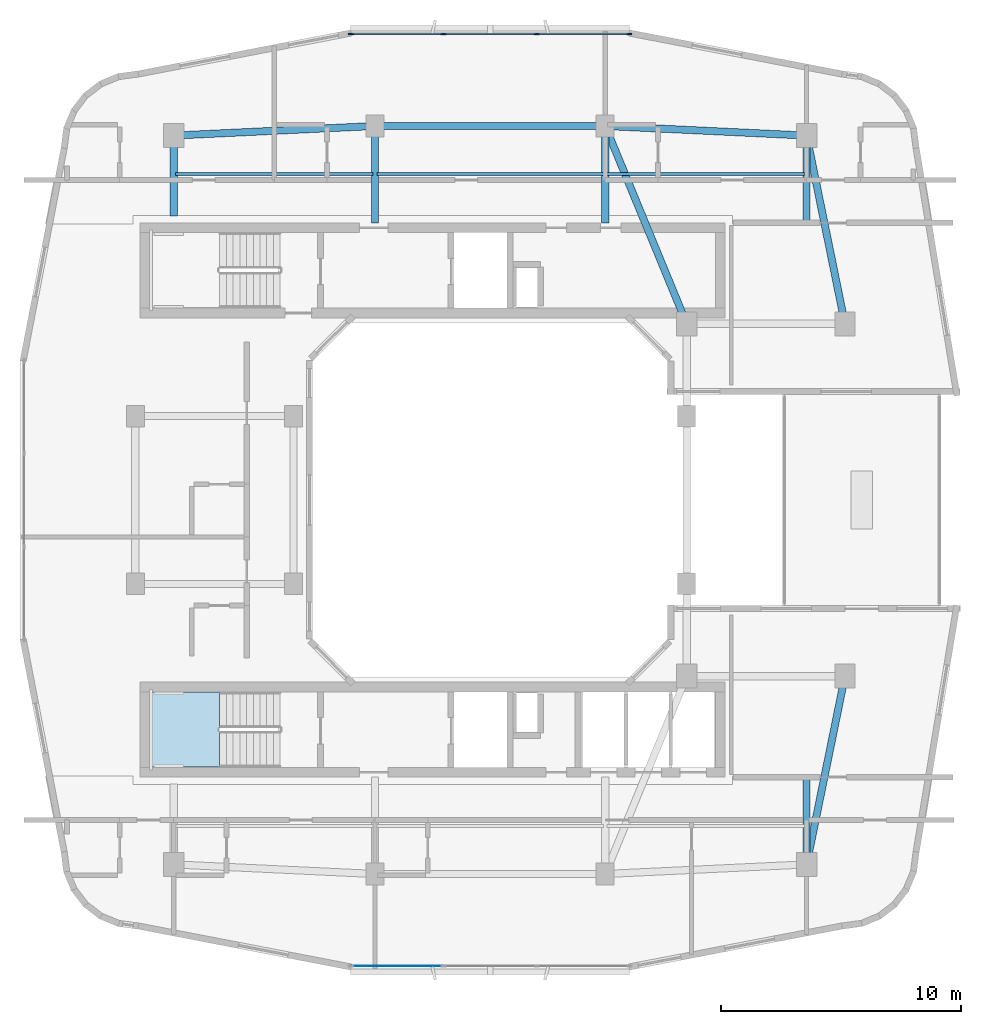
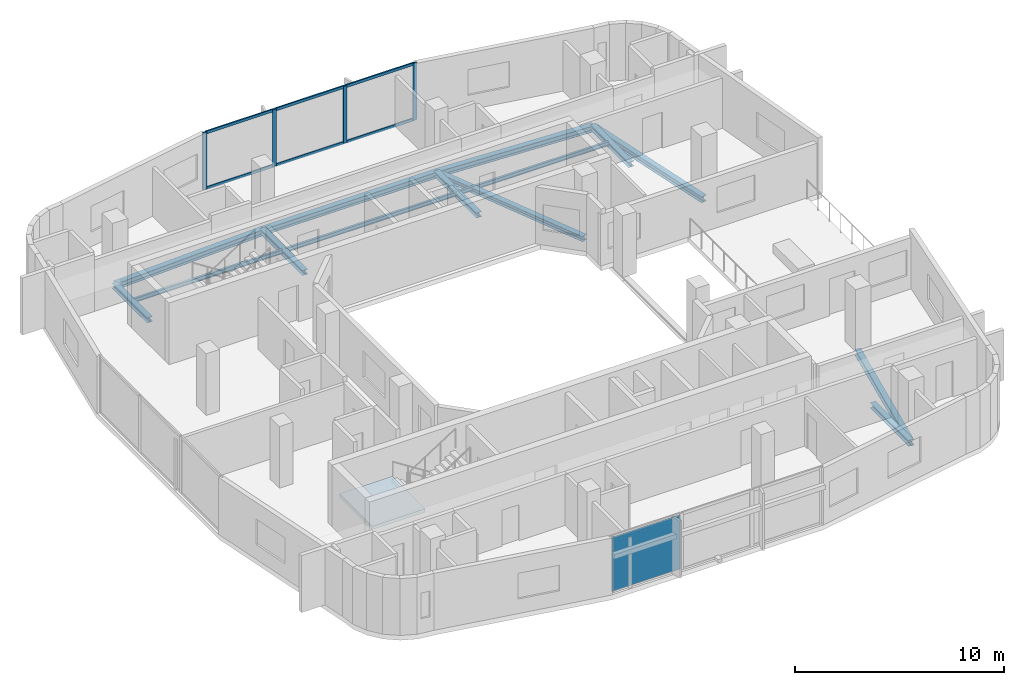
# One storey, part 3 of 12: 14 beams, 10 members, 1 plate, 1 slab, 3 elements without a shape of their own.
"""IFC4 building model written with IfcOpenShell, lengths in metres."""

from ifc_helpers import new_model, si_unit, derived_unit, direction, frame, origin, origin_2d, place, context, subcontext, project, spatial, polyline, rectangle, i_section, outline, extrude, material, layer, layer_set, material_profile, profile_set, type_object, element, aggregate, save


model = new_model("IFC4")

# Units and contexts
model_context = context("Model", 3, precision=1e-05, world=origin(), true_north=direction((0.0, 1.0)))
body_context = subcontext(model_context, "Body", "Model", "MODEL_VIEW")
ifc_project = project(units=[si_unit("LENGTHUNIT", "METRE"), si_unit("AREAUNIT", "SQUARE_METRE"), si_unit("VOLUMEUNIT", "CUBIC_METRE"), si_unit("PLANEANGLEUNIT", "RADIAN"), si_unit("MASSUNIT", "GRAM", prefix="KILO"), derived_unit("THERMALTRANSMITTANCEUNIT", [(si_unit("POWERUNIT", "WATT"), 1), (si_unit("LENGTHUNIT", "METRE"), -2), (si_unit("THERMODYNAMICTEMPERATUREUNIT", "KELVIN"), -1)])], contexts=[model_context])

# Site, building, storey
site_placement = place(None, origin())
site = spatial("IfcSite", under=ifc_project, at=site_placement, CompositionType="ELEMENT")
building_placement = place(site_placement, origin())
building = spatial("IfcBuilding", under=site, at=building_placement, Name="Kivonza Crest Hotel", CompositionType="ELEMENT")
storey_placement = place(building_placement, frame((0.0, 0.0, 177.5)))
storey = spatial("IfcBuildingStorey", under=building, at=storey_placement, Name="L48", CompositionType="ELEMENT", Elevation=177.5)

# Beams
ifc_material_1 = material(Name="Steel S355", Category="steel")
ifc_material_profile_1 = material_profile(ifc_material_1, i_section(OverallWidth=0.300048828125, OverallDepth=0.300048828125, WebThickness=0.010986328125, FlangeThickness=0.01904296875, FilletRadius=0.027099609375, at=origin_2d()), Name="HEB 300")
ifc_profile_set_1 = profile_set([ifc_material_profile_1], Name="Steel S355")
beam_type_1 = type_object("IfcBeamType", Name="BM-HEB300", PredefinedType="BEAM", material=ifc_profile_set_1)
beam_1_placement = place(storey_placement, frame((25.800048828125, 40.60009765625, -0.429931640625), z_axis=(0.381022260404, -0.924565864109, 0.0), x_axis=(0.924565864109, 0.381022260404, 0.0)))
element("IfcBeam", 1, at=beam_1_placement, inside=storey, type_object=beam_type_1, Name="Tower T1 L48 primary girder N1-TNE", PredefinedType="BEAM", context=body_context, shape_type="SweptSolid", body=[
    extrude(i_section(OverallWidth=0.300048828125, OverallDepth=0.300048828125, WebThickness=0.010986328125, FlangeThickness=0.01904296875, FilletRadius=0.027099609375, at=origin_2d()), origin(), (0.0, 0.0, 1.0), 8.923095703125),
])
beam_2_placement = place(storey_placement, frame((34.199951171875, 9.800048828125, -0.429931640625), z_axis=(0.0, 1.0, 0.0), x_axis=(-1.0, 0.0, 0.0)))
element("IfcBeam", 2, at=beam_2_placement, inside=storey, type_object=beam_type_1, Name="Tower T1 L48 radial core girder RSE", PredefinedType="BEAM", context=body_context, shape_type="SweptSolid", body=[
    extrude(i_section(OverallWidth=0.300048828125, OverallDepth=0.300048828125, WebThickness=0.010986328125, FlangeThickness=0.01904296875, FilletRadius=0.027099609375, at=origin_2d()), origin(), (0.0, 0.0, 1.0), 3.64990234375),
])
beam_3_placement = place(storey_placement, frame((7.800048828125, 40.199951171875, -0.429931640625), z_axis=(0.0, -1.0, 0.0), x_axis=(1.0, 0.0, 0.0)))
element("IfcBeam", 3, at=beam_3_placement, inside=storey, type_object=beam_type_1, Name="Tower T1 L48 radial core girder RNW", PredefinedType="BEAM", context=body_context, shape_type="SweptSolid", body=[
    extrude(i_section(OverallWidth=0.300048828125, OverallDepth=0.300048828125, WebThickness=0.010986328125, FlangeThickness=0.01904296875, FilletRadius=0.027099609375, at=origin_2d()), origin(), (0.0, 0.0, 1.0), 3.349853515625),
])
for number, where, z_axis, x_axis, name in (
    (4, (16.199951171875, 40.60009765625, -0.429931640625), (0.0, -1.0, 0.0), (1.0, 0.0, 0.0), "Tower T1 L48 radial core girder RN1"),
    (5, (25.800048828125, 40.60009765625, -0.429931640625), (0.0, -1.0, 0.0), (1.0, 0.0, 0.0), "Tower T1 L48 radial core girder RN2"),
):
    element("IfcBeam", number, at=place(storey_placement, frame(where, z_axis=z_axis, x_axis=x_axis)), inside=storey, type_object=beam_type_1, Name=name, PredefinedType="BEAM", context=body_context, shape_type="SweptSolid", body=[
        extrude(i_section(OverallWidth=0.300048828125, OverallDepth=0.300048828125, WebThickness=0.010986328125, FlangeThickness=0.01904296875, FilletRadius=0.027099609375, at=origin_2d()), origin(), (0.0, 0.0, 1.0), 4.050048828125),
    ])
beam_4_placement = place(storey_placement, frame((34.199951171875, 40.199951171875, -0.429931640625), z_axis=(0.0, -1.0, 0.0), x_axis=(1.0, 0.0, 0.0)))
element("IfcBeam", 6, at=beam_4_placement, inside=storey, type_object=beam_type_1, Name="Tower T1 L48 radial core girder RNE", PredefinedType="BEAM", context=body_context, shape_type="SweptSolid", body=[
    extrude(i_section(OverallWidth=0.300048828125, OverallDepth=0.300048828125, WebThickness=0.010986328125, FlangeThickness=0.01904296875, FilletRadius=0.027099609375, at=origin_2d()), origin(), (0.0, 0.0, 1.0), 3.64990234375),
])
ifc_material_profile_2 = material_profile(ifc_material_1, i_section(OverallWidth=0.300048828125, OverallDepth=0.360107421875, WebThickness=0.012451171875, FlangeThickness=0.0224609375, FilletRadius=0.027099609375, at=origin_2d()), Name="HEB 360")
ifc_profile_set_2 = profile_set([ifc_material_profile_2], Name="Steel S355")
beam_type_2 = type_object("IfcBeamType", Name="BM-HEB360", PredefinedType="SPANDREL", material=ifc_profile_set_2)
for number, where, z_axis, x_axis, name in (
    (7, (34.199951171875, 9.800048828125, -0.4599609375), (0.199730733965, 0.979850822273, 0.0), (-0.979850822273, 0.199730733965, 0.0), "Tower T1 L48 perimeter spandrel SE-PSE"),
    (8, (35.800048828125, 32.35009765625, -0.4599609375), (-0.199730733965, 0.979850822273, 0.0), (-0.979850822273, -0.199730733965, 0.0), "Tower T1 L48 perimeter spandrel PNE-NE"),
):
    element("IfcBeam", number, at=place(storey_placement, frame(where, z_axis=z_axis, x_axis=x_axis)), inside=storey, type_object=beam_type_2, Name=name, PredefinedType="SPANDREL", context=body_context, shape_type="SweptSolid", body=[
        extrude(i_section(OverallWidth=0.300048828125, OverallDepth=0.360107421875, WebThickness=0.012451171875, FlangeThickness=0.0224609375, FilletRadius=0.027099609375, at=origin_2d()), origin(), (0.0, 0.0, 1.0), 8.01123046875),
    ])
beam_5_placement = place(storey_placement, frame((34.199951171875, 40.199951171875, -0.4599609375), z_axis=(-0.998867283688, 0.047583080799, 0.0), x_axis=(-0.047583080799, -0.998867283688, 0.0)))
element("IfcBeam", 9, at=beam_5_placement, inside=storey, type_object=beam_type_2, Name="Tower T1 L48 perimeter spandrel NE-N2", PredefinedType="SPANDREL", context=body_context, shape_type="SweptSolid", body=[
    extrude(i_section(OverallWidth=0.300048828125, OverallDepth=0.360107421875, WebThickness=0.012451171875, FlangeThickness=0.0224609375, FilletRadius=0.027099609375, at=origin_2d()), origin(), (0.0, 0.0, 1.0), 8.409423828125),
])
beam_6_placement = place(storey_placement, frame((25.800048828125, 40.60009765625, -0.4599609375), z_axis=(-1.0, 0.0, 0.0), x_axis=(0.0, -1.0, 0.0)))
element("IfcBeam", 10, at=beam_6_placement, inside=storey, type_object=beam_type_2, Name="Tower T1 L48 perimeter spandrel N2-N1", PredefinedType="SPANDREL", context=body_context, shape_type="SweptSolid", body=[
    extrude(i_section(OverallWidth=0.300048828125, OverallDepth=0.360107421875, WebThickness=0.012451171875, FlangeThickness=0.0224609375, FilletRadius=0.027099609375, at=origin_2d()), origin(), (0.0, 0.0, 1.0), 9.60009765625),
])
beam_7_placement = place(storey_placement, frame((16.199951171875, 40.60009765625, -0.4599609375), z_axis=(-0.998867283688, -0.047583080799, 0.0), x_axis=(0.047583080799, -0.998867283688, 0.0)))
element("IfcBeam", 11, at=beam_7_placement, inside=storey, type_object=beam_type_2, Name="Tower T1 L48 perimeter spandrel N1-NW", PredefinedType="SPANDREL", context=body_context, shape_type="SweptSolid", body=[
    extrude(i_section(OverallWidth=0.300048828125, OverallDepth=0.360107421875, WebThickness=0.012451171875, FlangeThickness=0.0224609375, FilletRadius=0.027099609375, at=origin_2d()), origin(), (0.0, 0.0, 1.0), 8.409423828125),
])
ifc_material_profile_3 = material_profile(ifc_material_1, i_section(OverallWidth=0.1201171875, OverallDepth=0.239990234375, WebThickness=0.006103515625, FlangeThickness=0.009765625, FilletRadius=0.014892578125, at=origin_2d()), Name="IPE 240")
ifc_profile_set_3 = profile_set([ifc_material_profile_3], Name="Steel S355")
beam_type_3 = type_object("IfcBeamType", Name="BM-IPE240", PredefinedType="JOIST", material=ifc_profile_set_3)
beam_8_placement = place(storey_placement, frame((7.8798828125, 38.60009765625, -0.39990234375), z_axis=(1.0, 0.0, 0.0), x_axis=(0.0, 1.0, 0.0)))
element("IfcBeam", 12, at=beam_8_placement, inside=storey, type_object=beam_type_3, Name="Tower T1 L48 North-West floor joist", PredefinedType="JOIST", context=body_context, shape_type="SweptSolid", body=[
    extrude(i_section(OverallWidth=0.1201171875, OverallDepth=0.239990234375, WebThickness=0.006103515625, FlangeThickness=0.009765625, FilletRadius=0.014892578125, at=origin_2d()), origin(), (0.0, 0.0, 1.0), 8.240234375),
])
beam_9_placement = place(storey_placement, frame((16.280029296875, 38.60009765625, -0.39990234375), z_axis=(1.0, 0.0, 0.0), x_axis=(0.0, 1.0, 0.0)))
element("IfcBeam", 13, at=beam_9_placement, inside=storey, type_object=beam_type_3, Name="Tower T1 L48 North-Mid floor joist", PredefinedType="JOIST", context=body_context, shape_type="SweptSolid", body=[
    extrude(i_section(OverallWidth=0.1201171875, OverallDepth=0.239990234375, WebThickness=0.006103515625, FlangeThickness=0.009765625, FilletRadius=0.014892578125, at=origin_2d()), origin(), (0.0, 0.0, 1.0), 9.43994140625),
])
beam_10_placement = place(storey_placement, frame((25.8798828125, 38.60009765625, -0.39990234375), z_axis=(1.0, 0.0, 0.0), x_axis=(0.0, 1.0, 0.0)))
element("IfcBeam", 14, at=beam_10_placement, inside=storey, type_object=beam_type_3, Name="Tower T1 L48 North-East floor joist", PredefinedType="JOIST", context=body_context, shape_type="SweptSolid", body=[
    extrude(i_section(OverallWidth=0.1201171875, OverallDepth=0.239990234375, WebThickness=0.006103515625, FlangeThickness=0.009765625, FilletRadius=0.014892578125, at=origin_2d()), origin(), (0.0, 0.0, 1.0), 8.240234375),
])

# Curtain wall, members
ifc_material_2 = material(Name="Anodised bronze aluminium and low-E double glazing", Category="aluminium")
ifc_layer_1 = layer(ifc_material_2, 0.179931640625)
ifc_layer_set_1 = layer_set([ifc_layer_1], Name="Anodised bronze aluminium and low-E double glazing")
curtain_wall_type = type_object("IfcCurtainWallType", Name="CW-SYS-3", PredefinedType="NOTDEFINED", material=ifc_layer_set_1)
curtain_wall_1_placement = place(storey_placement, origin())
curtain_wall_1 = element("IfcCurtainWall", 15, at=curtain_wall_1_placement, inside=storey, type_object=curtain_wall_type, Name="L48 unitised curtain wall CW-T1-L48-36", PredefinedType="NOTDEFINED")
ifc_material_3 = material(Name="Anodised bronze aluminium", Category="aluminium")
ifc_material_profile_4 = material_profile(ifc_material_3, rectangle(XDim=0.074951171875, YDim=0.219970703125, at=origin_2d()), Name="CW-M 75x220")
ifc_profile_set_4 = profile_set([ifc_material_profile_4], Name="Anodised bronze aluminium")
member_type_1 = type_object("IfcMemberType", Name="CW-MUL-75x220", PredefinedType="MULLION", material=ifc_profile_set_4)
member_1_placement = place(storey_placement, frame((26.802490234375, 44.43994140625, 0.0), z_axis=(0.0, 0.0, 1.0), x_axis=(0.0, -1.0, 0.0)))
member_1 = element("IfcMember", 16, at=member_1_placement, type_object=member_type_1, Name="CW-3 mullion 1", PredefinedType="MULLION", context=body_context, shape_type="SweptSolid", body=[
    extrude(rectangle(XDim=0.074951171875, YDim=0.219970703125, at=origin_2d()), origin(), (0.0, 0.0, 1.0), 3.320068359375),
])
member_2_placement = place(storey_placement, frame((22.94677734375, 44.43994140625, 0.0), z_axis=(0.0, 0.0, 1.0), x_axis=(0.0, -1.0, 0.0)))
member_2 = element("IfcMember", 17, at=member_2_placement, type_object=member_type_1, Name="CW-3 mullion 2", PredefinedType="MULLION", context=body_context, shape_type="SweptSolid", body=[
    extrude(rectangle(XDim=0.074951171875, YDim=0.219970703125, at=origin_2d()), origin(), (0.0, 0.0, 1.0), 3.320068359375),
])
member_3_placement = place(storey_placement, frame((19.05322265625, 44.43994140625, 0.0), z_axis=(0.0, 0.0, 1.0), x_axis=(0.0, -1.0, 0.0)))
member_3 = element("IfcMember", 18, at=member_3_placement, type_object=member_type_1, Name="CW-3 mullion 3", PredefinedType="MULLION", context=body_context, shape_type="SweptSolid", body=[
    extrude(rectangle(XDim=0.074951171875, YDim=0.219970703125, at=origin_2d()), origin(), (0.0, 0.0, 1.0), 3.320068359375),
])
member_4_placement = place(storey_placement, frame((15.197509765625, 44.43994140625, 0.0), z_axis=(0.0, 0.0, 1.0), x_axis=(0.0, -1.0, 0.0)))
member_4 = element("IfcMember", 19, at=member_4_placement, type_object=member_type_1, Name="CW-3 mullion 4", PredefinedType="MULLION", context=body_context, shape_type="SweptSolid", body=[
    extrude(rectangle(XDim=0.074951171875, YDim=0.219970703125, at=origin_2d()), origin(), (0.0, 0.0, 1.0), 3.320068359375),
])
ifc_material_profile_5 = material_profile(ifc_material_3, rectangle(XDim=0.074951171875, YDim=0.159912109375, at=origin_2d()), Name="CW-T 75x160")
ifc_profile_set_5 = profile_set([ifc_material_profile_5], Name="Anodised bronze aluminium")
member_type_2 = type_object("IfcMemberType", Name="CW-TRN-75x160", PredefinedType="USERDEFINED", material=ifc_profile_set_5)
member_5_placement = place(storey_placement, frame((26.764892578125, 44.43994140625, 0.03759765625), z_axis=(-1.0, 0.0, 0.0), x_axis=(0.0, -1.0, 0.0)))
member_5 = element("IfcMember", 20, at=member_5_placement, type_object=member_type_2, Name="CW-3 transom 1.1", ObjectType="TRANSOM", PredefinedType="USERDEFINED", context=body_context, shape_type="SweptSolid", body=[
    extrude(rectangle(XDim=0.074951171875, YDim=0.159912109375, at=origin_2d()), origin(), (0.0, 0.0, 1.0), 3.78076171875),
])
member_6_placement = place(storey_placement, frame((26.764892578125, 44.43994140625, 3.282470703125), z_axis=(-1.0, 0.0, 0.0), x_axis=(0.0, -1.0, 0.0)))
member_6 = element("IfcMember", 21, at=member_6_placement, type_object=member_type_2, Name="CW-3 transom 1.2", ObjectType="TRANSOM", PredefinedType="USERDEFINED", context=body_context, shape_type="SweptSolid", body=[
    extrude(rectangle(XDim=0.074951171875, YDim=0.159912109375, at=origin_2d()), origin(), (0.0, 0.0, 1.0), 3.78076171875),
])
member_7_placement = place(storey_placement, frame((22.9091796875, 44.43994140625, 0.03759765625), z_axis=(-1.0, 0.0, 0.0), x_axis=(0.0, -1.0, 0.0)))
member_7 = element("IfcMember", 22, at=member_7_placement, type_object=member_type_2, Name="CW-3 transom 2.1", ObjectType="TRANSOM", PredefinedType="USERDEFINED", context=body_context, shape_type="SweptSolid", body=[
    extrude(rectangle(XDim=0.074951171875, YDim=0.159912109375, at=origin_2d()), origin(), (0.0, 0.0, 1.0), 3.818359375),
])
member_8_placement = place(storey_placement, frame((22.9091796875, 44.43994140625, 3.282470703125), z_axis=(-1.0, 0.0, 0.0), x_axis=(0.0, -1.0, 0.0)))
member_8 = element("IfcMember", 23, at=member_8_placement, type_object=member_type_2, Name="CW-3 transom 2.2", ObjectType="TRANSOM", PredefinedType="USERDEFINED", context=body_context, shape_type="SweptSolid", body=[
    extrude(rectangle(XDim=0.074951171875, YDim=0.159912109375, at=origin_2d()), origin(), (0.0, 0.0, 1.0), 3.818359375),
])
member_9_placement = place(storey_placement, frame((19.015869140625, 44.43994140625, 0.03759765625), z_axis=(-1.0, 0.0, 0.0), x_axis=(0.0, -1.0, 0.0)))
member_9 = element("IfcMember", 24, at=member_9_placement, type_object=member_type_2, Name="CW-3 transom 3.1", ObjectType="TRANSOM", PredefinedType="USERDEFINED", context=body_context, shape_type="SweptSolid", body=[
    extrude(rectangle(XDim=0.074951171875, YDim=0.159912109375, at=origin_2d()), origin(), (0.0, 0.0, 1.0), 3.78076171875),
])
member_10_placement = place(storey_placement, frame((19.015869140625, 44.43994140625, 3.282470703125), z_axis=(-1.0, 0.0, 0.0), x_axis=(0.0, -1.0, 0.0)))
member_10 = element("IfcMember", 25, at=member_10_placement, type_object=member_type_2, Name="CW-3 transom 3.2", ObjectType="TRANSOM", PredefinedType="USERDEFINED", context=body_context, shape_type="SweptSolid", body=[
    extrude(rectangle(XDim=0.074951171875, YDim=0.159912109375, at=origin_2d()), origin(), (0.0, 0.0, 1.0), 3.78076171875),
])
aggregate(curtain_wall_1, [member_1, member_2, member_3, member_4, member_5, member_6, member_7, member_8, member_9, member_10])

# Curtain wall, plate
curtain_wall_2_placement = place(storey_placement, origin())
curtain_wall_2 = element("IfcCurtainWall", 26, at=curtain_wall_2_placement, inside=storey, type_object=curtain_wall_type, Name="L48 unitised curtain wall CW-T1-L48-08", PredefinedType="NOTDEFINED")
ifc_material_4 = material(Name="Acoustic triple-laminated low-E glazing", Category="glass")
ifc_layer_2 = layer(ifc_material_4, 0.035888671875)
ifc_layer_set_2 = layer_set([ifc_layer_2], Name="Acoustic triple-laminated low-E glazing")
plate_type = type_object("IfcPlateType", Name="CW-PNL-36", PredefinedType="CURTAIN_PANEL", material=ifc_layer_set_2)
plate_placement = place(storey_placement, frame((17.12548828125, 5.56005859375, 0.074951171875), z_axis=(0.0, 0.0, 1.0), x_axis=(1.0, 0.0, 0.0)))
plate = element("IfcPlate", 27, at=plate_placement, type_object=plate_type, Name="CW-3 panel 1.1", PredefinedType="CURTAIN_PANEL", context=body_context, shape_type="SweptSolid", body=[
    extrude(rectangle(XDim=3.78076171875, YDim=0.035888671875, at=origin_2d()), origin(), (0.0, 0.0, 1.0), 3.169921875),
])
aggregate(curtain_wall_2, [plate])

# Stair, slab
ifc_material_5 = material(Name="Concrete C40/50", Category="concrete")
stair_type = type_object("IfcStairType", Name="ST-DL-20R", PredefinedType="HALF_TURN_STAIR", material=ifc_material_5)
stair_placement = place(storey_placement, origin())
stair = element("IfcStair", 28, at=stair_placement, inside=storey, type_object=stair_type, Name="L48 Protected Exit Stair ST-T1-S", PredefinedType="HALF_TURN_STAIR")
ifc_layer_3 = layer(ifc_material_5, 0.199951171875)
ifc_layer_set_3 = layer_set([ifc_layer_3], Name="Concrete C40/50")
slab_type = type_object("IfcSlabType", Name="SL-LAND-200", PredefinedType="LANDING", material=ifc_layer_set_3)
slab_placement = place(storey_placement, frame((0.0, 0.0, 1.60009765625)))
slab = element("IfcSlab", 29, at=slab_placement, type_object=slab_type, Name="ST-T1-S landing 1", PredefinedType="LANDING", context=body_context, shape_type="SweptSolid", body=[
    extrude(outline(polyline([(9.719970703125, 17.0), (6.800048828125, 17.0), (6.800048828125, 13.860107421875), (9.719970703125, 13.860107421875), (9.719970703125, 17.0)])), origin(), (0.0, 0.0, 1.0), 0.199951171875),
])
aggregate(stair, [slab])

save(model, "model.ifc")
